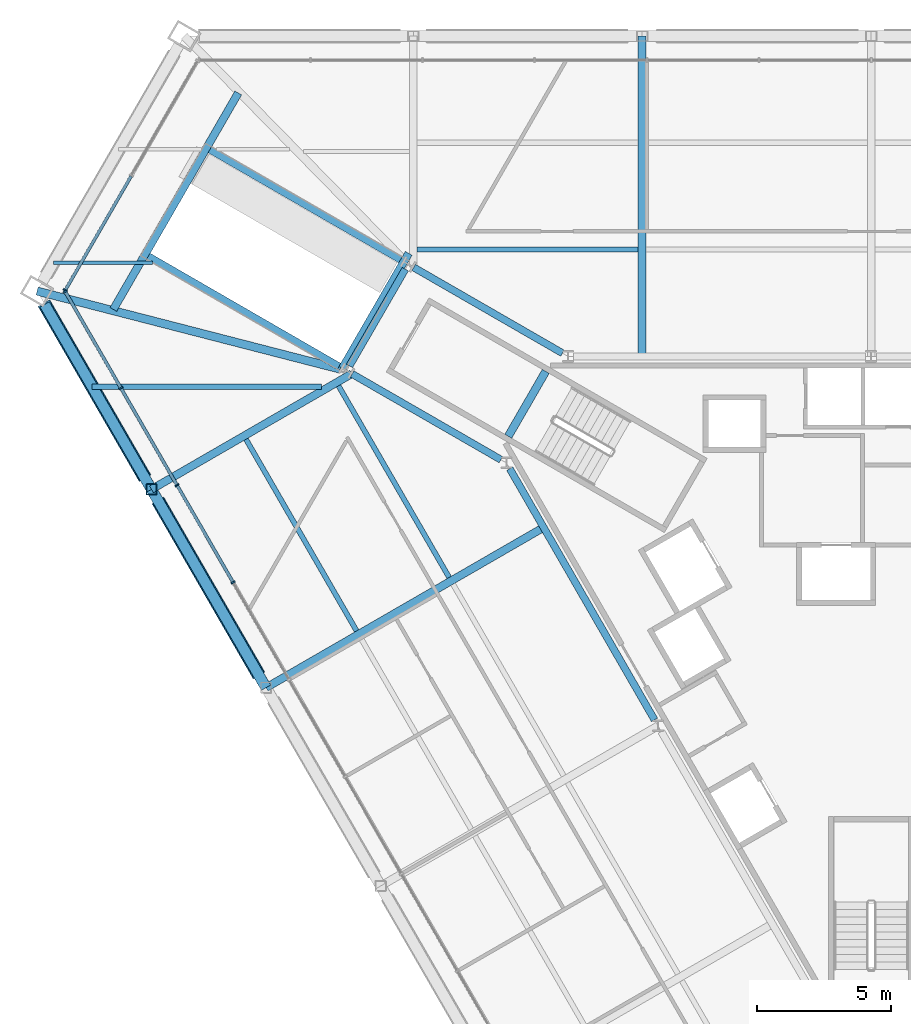
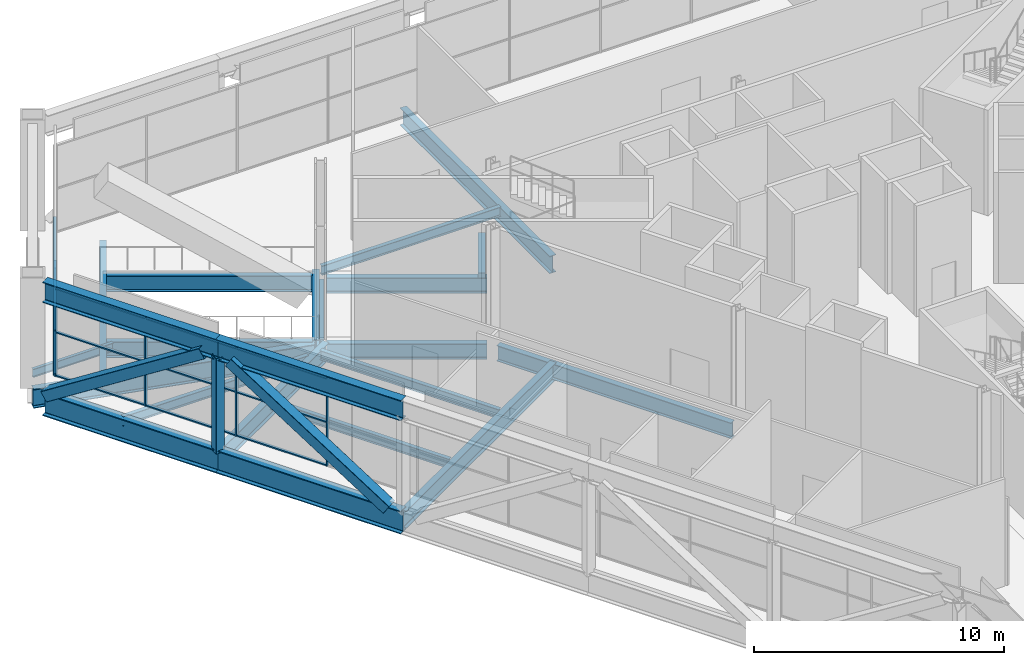
# One storey, part 6 of 20: 24 members, 18 beams, 2 elements without a shape of their own.
"""IFC4 building model written with IfcOpenShell, lengths in metres."""

from ifc_helpers import new_model, si_unit, direction, frame, origin, origin_2d, place, context, subcontext, project, spatial, rectangle, hollow_rectangle, i_section, extrude, material, layer, layer_set, material_profile, profile_set, type_object, element, aggregate, save


model = new_model("IFC4")

# Units and contexts
model_context = context("Model", 3, precision=1e-05, world=origin(), true_north=direction((0.0, 1.0)))
body_context = subcontext(model_context, "Body", "Model", "MODEL_VIEW")
ifc_project = project(units=[si_unit("LENGTHUNIT", "METRE"), si_unit("AREAUNIT", "SQUARE_METRE"), si_unit("VOLUMEUNIT", "CUBIC_METRE"), si_unit("PLANEANGLEUNIT", "RADIAN"), si_unit("MASSUNIT", "GRAM", prefix="KILO")], contexts=[model_context])

# Site, building, storey
site_placement = place(None, origin())
site = spatial("IfcSite", under=ifc_project, at=site_placement, CompositionType="ELEMENT")
building_placement = place(site_placement, origin())
building = spatial("IfcBuilding", under=site, at=building_placement, Name="Verrane Prism Tower", CompositionType="ELEMENT")
storey_placement = place(building_placement, frame((0.0, 0.0, 12.0)))
storey = spatial("IfcBuildingStorey", under=building, at=storey_placement, Name="L01", CompositionType="ELEMENT", Elevation=12.0)

# Curtain wall, member
ifc_material_1 = material(Name="Aluminium and glass curtain wall", Category="aluminium")
ifc_layer = layer(ifc_material_1, 0.199951171875)
ifc_layer_set = layer_set([ifc_layer], Name="CWB-1 retail curtain wall")
curtain_wall_type = type_object("IfcCurtainWallType", Name="CWB-1 retail curtain wall", PredefinedType="NOTDEFINED", material=ifc_layer_set)
curtain_wall_1_placement = place(storey_placement, origin())
curtain_wall_1 = element("IfcCurtainWall", 1, at=curtain_wall_1_placement, inside=storey, type_object=curtain_wall_type, Name="Retail curtain wall L01 3", PredefinedType="NOTDEFINED")
ifc_material_2 = material(Name="Aluminium", Category="aluminium")
ifc_material_profile_1 = material_profile(ifc_material_2, rectangle(XDim=0.159912109375, YDim=0.06005859375, at=origin_2d()), Name="CWB-M 60x160 mullion")
ifc_profile_set_1 = profile_set([ifc_material_profile_1], Name="Aluminium")
member_type_1 = type_object("IfcMemberType", Name="CWB-M 60x160 mullion", PredefinedType="MULLION", material=ifc_profile_set_1)
member_1_placement = place(storey_placement, frame((-30.11328125, 11.669677734375, 0.0), z_axis=(0.0, 0.0, 1.0), x_axis=(0.866025871, -0.499999190758, 0.0)))
member_1 = element("IfcMember", 2, at=member_1_placement, type_object=member_type_1, Name="CWB13 mullion 3", PredefinedType="MULLION", context=body_context, shape_type="SweptSolid", body=[
    extrude(rectangle(XDim=0.159912109375, YDim=0.06005859375, at=origin_2d()), origin(), (0.0, 0.0, 1.0), 4.2900390625),
])

# Curtain wall, members
curtain_wall_2_placement = place(storey_placement, origin())
curtain_wall_2 = element("IfcCurtainWall", 3, at=curtain_wall_2_placement, inside=storey, type_object=curtain_wall_type, Name="Retail curtain wall L01 4", PredefinedType="NOTDEFINED")
member_2_placement = place(storey_placement, frame((-30.11328125, 11.61767578125, 0.0), z_axis=(0.0, 0.0, 1.0), x_axis=(0.866025335097, 0.50000011897, 0.0)))
member_2 = element("IfcMember", 4, at=member_2_placement, type_object=member_type_1, Name="CWB14 mullion 1", PredefinedType="MULLION", context=body_context, shape_type="SweptSolid", body=[
    extrude(rectangle(XDim=0.159912109375, YDim=0.06005859375, at=origin_2d()), origin(), (0.0, 0.0, 1.0), 4.2900390625),
])
member_3_placement = place(storey_placement, frame((-28.03271484375, 8.013916015625, 0.0), z_axis=(0.0, 0.0, 1.0), x_axis=(0.866025335097, 0.50000011897, 0.0)))
member_3 = element("IfcMember", 5, at=member_3_placement, type_object=member_type_1, Name="CWB14 mullion 2", PredefinedType="MULLION", context=body_context, shape_type="SweptSolid", body=[
    extrude(rectangle(XDim=0.159912109375, YDim=0.06005859375, at=origin_2d()), origin(), (0.0, 0.0, 1.0), 4.2900390625),
])
member_4_placement = place(storey_placement, frame((-25.93701171875, 4.384033203125, 0.0), z_axis=(0.0, 0.0, 1.0), x_axis=(0.866025335097, 0.50000011897, 0.0)))
member_4 = element("IfcMember", 6, at=member_4_placement, type_object=member_type_1, Name="CWB14 mullion 3", PredefinedType="MULLION", context=body_context, shape_type="SweptSolid", body=[
    extrude(rectangle(XDim=0.159912109375, YDim=0.06005859375, at=origin_2d()), origin(), (0.0, 0.0, 1.0), 4.2900390625),
])
member_5_placement = place(storey_placement, frame((-23.84130859375, 0.75439453125, 0.0), z_axis=(0.0, 0.0, 1.0), x_axis=(0.866025335097, 0.50000011897, 0.0)))
member_5 = element("IfcMember", 7, at=member_5_placement, type_object=member_type_1, Name="CWB14 mullion 4", PredefinedType="MULLION", context=body_context, shape_type="SweptSolid", body=[
    extrude(rectangle(XDim=0.159912109375, YDim=0.06005859375, at=origin_2d()), origin(), (0.0, 0.0, 1.0), 4.2900390625),
])

# Member
ifc_material_3 = material(Name="Aluminium", Category="aluminium")
ifc_material_profile_2 = material_profile(ifc_material_3, rectangle(XDim=0.1201171875, YDim=0.06005859375, at=origin_2d()), Name="CWB-T 60x120 transom")
ifc_profile_set_2 = profile_set([ifc_material_profile_2], Name="Aluminium")
member_type_2 = type_object("IfcMemberType", Name="CWB-T 60x120 transom", PredefinedType="USERDEFINED", material=ifc_profile_set_2)
member_6_placement = place(storey_placement, frame((-27.653076171875, 15.930908203125, 0.030029296875), z_axis=(-0.500004774777, -0.866022647048, 0.0), x_axis=(0.866022647048, -0.500004774777, 0.0)))
member_6 = element("IfcMember", 8, at=member_6_placement, type_object=member_type_2, Name="CWB13 transom 2.1", ObjectType="TRANSOM", PredefinedType="USERDEFINED", context=body_context, shape_type="SweptSolid", body=[
    extrude(rectangle(XDim=0.1201171875, YDim=0.06005859375, at=origin_2d()), origin(), (0.0, 0.0, 1.0), 4.890625),
])

member_7_placement = place(storey_placement, frame((-27.653076171875, 15.930908203125, 2.14501953125), z_axis=(-0.500004774777, -0.866022647048, 0.0), x_axis=(0.866022647048, -0.500004774777, 0.0)))
member_7 = element("IfcMember", 9, at=member_7_placement, type_object=member_type_2, Name="CWB13 transom 2.2", ObjectType="TRANSOM", PredefinedType="USERDEFINED", context=body_context, shape_type="SweptSolid", body=[
    extrude(rectangle(XDim=0.1201171875, YDim=0.06005859375, at=origin_2d()), origin(), (0.0, 0.0, 1.0), 4.890625),
])

member_8_placement = place(storey_placement, frame((-27.653076171875, 15.930908203125, 4.260009765625), z_axis=(-0.500004774777, -0.866022647048, 0.0), x_axis=(0.866022647048, -0.500004774777, 0.0)))
member_8 = element("IfcMember", 10, at=member_8_placement, type_object=member_type_2, Name="CWB13 transom 2.3", ObjectType="TRANSOM", PredefinedType="USERDEFINED", context=body_context, shape_type="SweptSolid", body=[
    extrude(rectangle(XDim=0.1201171875, YDim=0.06005859375, at=origin_2d()), origin(), (0.0, 0.0, 1.0), 4.890625),
])

aggregate(curtain_wall_1, [member_1, member_6, member_7, member_8])

member_9_placement = place(storey_placement, frame((-30.098388671875, 11.591796875, 0.030029296875), z_axis=(0.500005845305, -0.86602202897, 0.0), x_axis=(0.86602202897, 0.500005845305, 0.0)))
member_9 = element("IfcMember", 11, at=member_9_placement, type_object=member_type_2, Name="CWB14 transom 1.1", ObjectType="TRANSOM", PredefinedType="USERDEFINED", context=body_context, shape_type="SweptSolid", body=[
    extrude(rectangle(XDim=0.1201171875, YDim=0.06005859375, at=origin_2d()), origin(), (0.0, 0.0, 1.0), 4.1015625),
])

member_10_placement = place(storey_placement, frame((-30.098388671875, 11.591796875, 2.14501953125), z_axis=(0.500005845305, -0.86602202897, 0.0), x_axis=(0.86602202897, 0.500005845305, 0.0)))
member_10 = element("IfcMember", 12, at=member_10_placement, type_object=member_type_2, Name="CWB14 transom 1.2", ObjectType="TRANSOM", PredefinedType="USERDEFINED", context=body_context, shape_type="SweptSolid", body=[
    extrude(rectangle(XDim=0.1201171875, YDim=0.06005859375, at=origin_2d()), origin(), (0.0, 0.0, 1.0), 4.1015625),
])

member_11_placement = place(storey_placement, frame((-30.098388671875, 11.591796875, 4.260009765625), z_axis=(0.500005845305, -0.86602202897, 0.0), x_axis=(0.86602202897, 0.500005845305, 0.0)))
member_11 = element("IfcMember", 13, at=member_11_placement, type_object=member_type_2, Name="CWB14 transom 1.3", ObjectType="TRANSOM", PredefinedType="USERDEFINED", context=body_context, shape_type="SweptSolid", body=[
    extrude(rectangle(XDim=0.1201171875, YDim=0.06005859375, at=origin_2d()), origin(), (0.0, 0.0, 1.0), 4.1015625),
])

member_12_placement = place(storey_placement, frame((-28.017578125, 7.988037109375, 0.030029296875), z_axis=(0.499996977546, -0.866027148792, 0.0), x_axis=(0.866027148792, 0.499996977546, 0.0)))
member_12 = element("IfcMember", 14, at=member_12_placement, type_object=member_type_2, Name="CWB14 transom 2.1", ObjectType="TRANSOM", PredefinedType="USERDEFINED", context=body_context, shape_type="SweptSolid", body=[
    extrude(rectangle(XDim=0.1201171875, YDim=0.06005859375, at=origin_2d()), origin(), (0.0, 0.0, 1.0), 4.13134765625),
])

member_13_placement = place(storey_placement, frame((-28.017578125, 7.988037109375, 2.14501953125), z_axis=(0.499996977546, -0.866027148792, 0.0), x_axis=(0.866027148792, 0.499996977546, 0.0)))
member_13 = element("IfcMember", 15, at=member_13_placement, type_object=member_type_2, Name="CWB14 transom 2.2", ObjectType="TRANSOM", PredefinedType="USERDEFINED", context=body_context, shape_type="SweptSolid", body=[
    extrude(rectangle(XDim=0.1201171875, YDim=0.06005859375, at=origin_2d()), origin(), (0.0, 0.0, 1.0), 4.13134765625),
])

member_14_placement = place(storey_placement, frame((-28.017578125, 7.988037109375, 4.260009765625), z_axis=(0.499996977546, -0.866027148792, 0.0), x_axis=(0.866027148792, 0.499996977546, 0.0)))
member_14 = element("IfcMember", 16, at=member_14_placement, type_object=member_type_2, Name="CWB14 transom 2.3", ObjectType="TRANSOM", PredefinedType="USERDEFINED", context=body_context, shape_type="SweptSolid", body=[
    extrude(rectangle(XDim=0.1201171875, YDim=0.06005859375, at=origin_2d()), origin(), (0.0, 0.0, 1.0), 4.13134765625),
])

member_15_placement = place(storey_placement, frame((-25.921875, 4.358154296875, 0.030029296875), z_axis=(0.499996977546, -0.866027148792, 0.0), x_axis=(0.866027148792, 0.499996977546, 0.0)))
member_15 = element("IfcMember", 17, at=member_15_placement, type_object=member_type_2, Name="CWB14 transom 3.1", ObjectType="TRANSOM", PredefinedType="USERDEFINED", context=body_context, shape_type="SweptSolid", body=[
    extrude(rectangle(XDim=0.1201171875, YDim=0.06005859375, at=origin_2d()), origin(), (0.0, 0.0, 1.0), 4.13134765625),
])

member_16_placement = place(storey_placement, frame((-25.921875, 4.358154296875, 2.14501953125), z_axis=(0.499996977546, -0.866027148792, 0.0), x_axis=(0.866027148792, 0.499996977546, 0.0)))
member_16 = element("IfcMember", 18, at=member_16_placement, type_object=member_type_2, Name="CWB14 transom 3.2", ObjectType="TRANSOM", PredefinedType="USERDEFINED", context=body_context, shape_type="SweptSolid", body=[
    extrude(rectangle(XDim=0.1201171875, YDim=0.06005859375, at=origin_2d()), origin(), (0.0, 0.0, 1.0), 4.13134765625),
])

member_17_placement = place(storey_placement, frame((-25.921875, 4.358154296875, 4.260009765625), z_axis=(0.499996977546, -0.866027148792, 0.0), x_axis=(0.866027148792, 0.499996977546, 0.0)))
member_17 = element("IfcMember", 19, at=member_17_placement, type_object=member_type_2, Name="CWB14 transom 3.3", ObjectType="TRANSOM", PredefinedType="USERDEFINED", context=body_context, shape_type="SweptSolid", body=[
    extrude(rectangle(XDim=0.1201171875, YDim=0.06005859375, at=origin_2d()), origin(), (0.0, 0.0, 1.0), 4.13134765625),
])

aggregate(curtain_wall_2, [member_2, member_3, member_4, member_5, member_9, member_10, member_11, member_12, member_13, member_14, member_15, member_16, member_17])

# Beams
ifc_material_4 = material(Name="Steel A992", Category="steel")
ifc_material_profile_3 = material_profile(ifc_material_4, i_section(OverallWidth=0.2666015625, OverallDepth=0.76708984375, WebThickness=0.014892578125, FlangeThickness=0.023681640625, FilletRadius=0.0166015625, at=origin_2d()), Name="W30x124")
ifc_profile_set_3 = profile_set([ifc_material_profile_3], Name="Steel A992")
beam_type_1 = type_object("IfcBeamType", Name="Core ring girder W30x124", PredefinedType="BEAM", material=ifc_profile_set_3)
beam_1_placement = place(storey_placement, frame((-11.53564453125, 9.318603515625, -0.633544921875), z_axis=(-0.866455356291, 0.499254559873, 0.0), x_axis=(-0.499254559873, -0.866455356291, 0.0)))
element("IfcBeam", 20, at=beam_1_placement, inside=storey, type_object=beam_type_1, Name="Core ring girder L01", PredefinedType="BEAM", context=body_context, shape_type="SweptSolid", body=[
    extrude(i_section(OverallWidth=0.2666015625, OverallDepth=0.76708984375, WebThickness=0.014892578125, FlangeThickness=0.023681640625, FilletRadius=0.0166015625, at=origin_2d()), origin(), (0.0, 0.0, 1.0), 6.415283203125),
])
beam_2_placement = place(storey_placement, frame((-17.406005859375, 12.456298828125, -0.633544921875), z_axis=(-0.500367275473, -0.865813253326, 0.0), x_axis=(0.865813253326, -0.500367275473, 0.0)))
element("IfcBeam", 21, at=beam_2_placement, inside=storey, type_object=beam_type_1, Name="Core ring girder L01", PredefinedType="BEAM", context=body_context, shape_type="SweptSolid", body=[
    extrude(i_section(OverallWidth=0.2666015625, OverallDepth=0.76708984375, WebThickness=0.014892578125, FlangeThickness=0.023681640625, FilletRadius=0.0166015625, at=origin_2d()), origin(), (0.0, 0.0, 1.0), 4.172607421875),
])
beam_3_placement = place(storey_placement, frame((-19.394287109375, 8.54150390625, -0.633544921875), z_axis=(0.866455356291, -0.499254559873, 0.0), x_axis=(0.499254559873, 0.866455356291, 0.0)))
element("IfcBeam", 22, at=beam_3_placement, inside=storey, type_object=beam_type_1, Name="Core ring girder L01", PredefinedType="BEAM", context=body_context, shape_type="SweptSolid", body=[
    extrude(i_section(OverallWidth=0.2666015625, OverallDepth=0.76708984375, WebThickness=0.014892578125, FlangeThickness=0.023681640625, FilletRadius=0.0166015625, at=origin_2d()), origin(), (0.0, 0.0, 1.0), 6.415283203125),
])
beam_4_placement = place(storey_placement, frame((-13.5048828125, 5.002685546875, -0.633544921875), z_axis=(0.499373178085, -0.866386997253, 0.0), x_axis=(0.866386997253, 0.499373178085, 0.0)))
element("IfcBeam", 23, at=beam_4_placement, inside=storey, type_object=beam_type_1, Name="Core ring girder L01", PredefinedType="BEAM", context=body_context, shape_type="SweptSolid", body=[
    extrude(i_section(OverallWidth=0.2666015625, OverallDepth=0.76708984375, WebThickness=0.014892578125, FlangeThickness=0.023681640625, FilletRadius=0.0166015625, at=origin_2d()), origin(), (0.0, 0.0, 1.0), 10.8330078125),
])
ifc_material_5 = material(Name="Steel A992", Category="steel")
ifc_material_profile_4 = material_profile(ifc_material_5, i_section(OverallWidth=0.307373046875, OverallDepth=0.927001953125, WebThickness=0.01953125, FlangeThickness=0.031982421875, FilletRadius=0.01904296875, at=origin_2d()), Name="W36x194")
ifc_profile_set_4 = profile_set([ifc_material_profile_4], Name="Steel A992")
beam_type_2 = type_object("IfcBeamType", Name="Corner girder W36x194", PredefinedType="BEAM", material=ifc_profile_set_4)
beam_5_placement = place(storey_placement, frame((-31.16455078125, 11.638671875, -0.68359375), z_axis=(0.968392733058, -0.249430380188, 0.0), x_axis=(0.249430380188, 0.968392733058, 0.0)))
element("IfcBeam", 24, at=beam_5_placement, inside=storey, type_object=beam_type_2, Name="Corner girder L01", PredefinedType="BEAM", context=body_context, shape_type="SweptSolid", body=[
    extrude(i_section(OverallWidth=0.307373046875, OverallDepth=0.927001953125, WebThickness=0.01953125, FlangeThickness=0.031982421875, FilletRadius=0.01904296875, at=origin_2d()), origin(), (0.0, 0.0, 1.0), 11.695556640625),
])
ifc_material_6 = material(Name="Steel A992", Category="steel")
ifc_material_profile_5 = material_profile(ifc_material_6, i_section(OverallWidth=0.140380859375, OverallDepth=0.40380859375, WebThickness=0.007080078125, FlangeThickness=0.01123046875, FilletRadius=0.01025390625, at=origin_2d()), Name="W16x31")
ifc_profile_set_5 = profile_set([ifc_material_profile_5], Name="Steel A992")
beam_type_3 = type_object("IfcBeamType", Name="Floor beam W16x31", PredefinedType="BEAM", material=ifc_profile_set_5)
beam_6_placement = place(storey_placement, frame((-30.55810546875, 12.699951171875, -0.36181640625), z_axis=(1.0, 0.0, 0.0), x_axis=(0.0, 1.0, 0.0)))
element("IfcBeam", 25, at=beam_6_placement, inside=storey, type_object=beam_type_3, Name="Floor beam L01", PredefinedType="BEAM", context=body_context, shape_type="SweptSolid", body=[
    extrude(i_section(OverallWidth=0.140380859375, OverallDepth=0.40380859375, WebThickness=0.007080078125, FlangeThickness=0.01123046875, FilletRadius=0.01025390625, at=origin_2d()), origin(), (0.0, 0.0, 1.0), 3.697509765625),
])
ifc_material_7 = material(Name="Steel A992", Category="steel")
ifc_material_profile_6 = material_profile(ifc_material_7, i_section(OverallWidth=0.1904296875, OverallDepth=0.457275390625, WebThickness=0.009033203125, FlangeThickness=0.014404296875, FilletRadius=0.01025390625, at=origin_2d()), Name="W18x50")
ifc_profile_set_6 = profile_set([ifc_material_profile_6], Name="Steel A992")
beam_type_4 = type_object("IfcBeamType", Name="Floor beam W18x50", PredefinedType="BEAM", material=ifc_profile_set_6)
beam_7_placement = place(storey_placement, frame((-16.964111328125, 13.18994140625, -0.388671875), z_axis=(1.0, 0.0, 0.0), x_axis=(0.0, 1.0, 0.0)))
element("IfcBeam", 26, at=beam_7_placement, inside=storey, type_object=beam_type_4, Name="Floor beam L01", PredefinedType="BEAM", context=body_context, shape_type="SweptSolid", body=[
    extrude(i_section(OverallWidth=0.1904296875, OverallDepth=0.457275390625, WebThickness=0.009033203125, FlangeThickness=0.014404296875, FilletRadius=0.01025390625, at=origin_2d()), origin(), (0.0, 0.0, 1.0), 8.258056640625),
])
beam_8_placement = place(storey_placement, frame((-29.10498046875, 8.06494140625, -0.388671875), z_axis=(1.0, 0.0, 0.0), x_axis=(0.0, 1.0, 0.0)))
element("IfcBeam", 27, at=beam_8_placement, inside=storey, type_object=beam_type_4, Name="Floor beam L01", PredefinedType="BEAM", context=body_context, shape_type="SweptSolid", body=[
    extrude(i_section(OverallWidth=0.1904296875, OverallDepth=0.457275390625, WebThickness=0.009033203125, FlangeThickness=0.014404296875, FilletRadius=0.01025390625, at=origin_2d()), origin(), (0.0, 0.0, 1.0), 8.563232421875),
])
beam_9_placement = place(storey_placement, frame((-15.769287109375, 0.93994140625, -0.388671875), z_axis=(-0.500018214608, 0.86601488732, 0.0), x_axis=(-0.86601488732, -0.500018214608, 0.0)))
element("IfcBeam", 28, at=beam_9_placement, inside=storey, type_object=beam_type_4, Name="Floor beam L01", PredefinedType="BEAM", context=body_context, shape_type="SweptSolid", body=[
    extrude(i_section(OverallWidth=0.1904296875, OverallDepth=0.457275390625, WebThickness=0.009033203125, FlangeThickness=0.014404296875, FilletRadius=0.01025390625, at=origin_2d()), origin(), (0.0, 0.0, 1.0), 8.264892578125),
])
beam_10_placement = place(storey_placement, frame((-19.226806640625, -1.05712890625, -0.388671875), z_axis=(-0.500005423512, 0.866022272496, 0.0), x_axis=(-0.866022272496, -0.500005423512, 0.0)))
element("IfcBeam", 29, at=beam_10_placement, inside=storey, type_object=beam_type_4, Name="Floor beam L01", PredefinedType="BEAM", context=body_context, shape_type="SweptSolid", body=[
    extrude(i_section(OverallWidth=0.1904296875, OverallDepth=0.457275390625, WebThickness=0.009033203125, FlangeThickness=0.014404296875, FilletRadius=0.01025390625, at=origin_2d()), origin(), (0.0, 0.0, 1.0), 8.26513671875),
])
ifc_material_8 = material(Name="Steel A992", Category="steel")
ifc_material_profile_7 = material_profile(ifc_material_8, i_section(OverallWidth=0.2919921875, OverallDepth=0.845703125, WebThickness=0.015380859375, FlangeThickness=0.0244140625, FilletRadius=0.017822265625, at=origin_2d()), Name="W33x141")
ifc_profile_set_7 = profile_set([ifc_material_profile_7], Name="Steel A992")
beam_type_5 = type_object("IfcBeamType", Name="Radial girder W33x141", PredefinedType="BEAM", material=ifc_profile_set_7)
beam_11_placement = place(storey_placement, frame((-8.56005859375, 21.169921875, -0.642822265625), z_axis=(0.0, -1.0, 0.0), x_axis=(1.0, 0.0, 0.0)))
element("IfcBeam", 30, at=beam_11_placement, inside=storey, type_object=beam_type_5, Name="Radial girder L01", PredefinedType="BEAM", context=body_context, shape_type="SweptSolid", body=[
    extrude(i_section(OverallWidth=0.2919921875, OverallDepth=0.845703125, WebThickness=0.015380859375, FlangeThickness=0.0244140625, FilletRadius=0.017822265625, at=origin_2d()), origin(), (0.0, 0.0, 1.0), 11.969970703125),
])
beam_12_placement = place(storey_placement, frame((-26.889892578125, 4.22998046875, -0.642822265625), z_axis=(0.866024167848, 0.500002140699, 0.0), x_axis=(-0.500002140699, 0.866024167848, 0.0)))
element("IfcBeam", 31, at=beam_12_placement, inside=storey, type_object=beam_type_5, Name="Radial girder L01", PredefinedType="BEAM", context=body_context, shape_type="SweptSolid", body=[
    extrude(i_section(OverallWidth=0.2919921875, OverallDepth=0.845703125, WebThickness=0.015380859375, FlangeThickness=0.0244140625, FilletRadius=0.017822265625, at=origin_2d()), origin(), (0.0, 0.0, 1.0), 8.63916015625),
])
beam_13_placement = place(storey_placement, frame((-22.610107421875, -3.179931640625, -0.642822265625), z_axis=(0.866031448669, 0.499989529807, 0.0), x_axis=(-0.499989529807, 0.866031448669, 0.0)))
element("IfcBeam", 32, at=beam_13_placement, inside=storey, type_object=beam_type_5, Name="Radial girder L01", PredefinedType="BEAM", context=body_context, shape_type="SweptSolid", body=[
    extrude(i_section(OverallWidth=0.2919921875, OverallDepth=0.845703125, WebThickness=0.015380859375, FlangeThickness=0.0244140625, FilletRadius=0.017822265625, at=origin_2d()), origin(), (0.0, 0.0, 1.0), 11.974853515625),
])
ifc_material_9 = material(Name="Steel A992", Category="steel")
ifc_material_profile_8 = material_profile(ifc_material_9, i_section(OverallWidth=0.2666015625, OverallDepth=0.76708984375, WebThickness=0.014892578125, FlangeThickness=0.023681640625, FilletRadius=0.0166015625, at=origin_2d()), Name="W30x124")
ifc_profile_set_8 = profile_set([ifc_material_profile_8], Name="Steel A992")
beam_type_6 = type_object("IfcBeamType", Name="Slab edge girder W30x124", PredefinedType="BEAM", material=ifc_profile_set_8)
beam_14_placement = place(storey_placement, frame((-17.58203125, 12.806884765625, -0.54345703125), z_axis=(-0.866034923029, 0.499983511822, 0.0), x_axis=(-0.499983511822, -0.866034923029, 0.0)))
element("IfcBeam", 33, at=beam_14_placement, inside=storey, type_object=beam_type_6, Name="Slab edge girder L01", PredefinedType="BEAM", context=body_context, shape_type="SweptSolid", body=[
    extrude(i_section(OverallWidth=0.2666015625, OverallDepth=0.76708984375, WebThickness=0.014892578125, FlangeThickness=0.023681640625, FilletRadius=0.0166015625, at=origin_2d()), origin(), (0.0, 0.0, 1.0), 8.230224609375),
])
beam_15_placement = place(storey_placement, frame((-27.009521484375, 12.93798828125, -0.54345703125), z_axis=(0.86602750728, -0.499996356621, 0.0), x_axis=(0.499996356621, 0.86602750728, 0.0)))
element("IfcBeam", 34, at=beam_15_placement, inside=storey, type_object=beam_type_6, Name="Slab edge girder L01", PredefinedType="BEAM", context=body_context, shape_type="SweptSolid", body=[
    extrude(i_section(OverallWidth=0.2666015625, OverallDepth=0.76708984375, WebThickness=0.014892578125, FlangeThickness=0.023681640625, FilletRadius=0.0166015625, at=origin_2d()), origin(), (0.0, 0.0, 1.0), 8.22998046875),
])
ifc_material_10 = material(Name="Steel A992", Category="steel")
ifc_material_profile_9 = material_profile(ifc_material_10, i_section(OverallWidth=0.2919921875, OverallDepth=0.845703125, WebThickness=0.015380859375, FlangeThickness=0.0244140625, FilletRadius=0.017822265625, at=origin_2d()), Name="W33x141")
ifc_profile_set_9 = profile_set([ifc_material_profile_9], Name="Steel A992")
beam_type_7 = type_object("IfcBeamType", Name="Slab edge girder W33x141", PredefinedType="BEAM", material=ifc_profile_set_9)
beam_16_placement = place(storey_placement, frame((-23.64794921875, 19.04052734375, -0.5830078125), z_axis=(-0.500003119808, -0.866023602555, 0.0), x_axis=(0.866023602555, -0.500003119808, 0.0)))
element("IfcBeam", 35, at=beam_16_placement, inside=storey, type_object=beam_type_7, Name="Slab edge girder L01", PredefinedType="BEAM", context=body_context, shape_type="SweptSolid", body=[
    extrude(i_section(OverallWidth=0.2919921875, OverallDepth=0.845703125, WebThickness=0.015380859375, FlangeThickness=0.0244140625, FilletRadius=0.017822265625, at=origin_2d()), origin(), (0.0, 0.0, 1.0), 9.3369140625),
])
beam_17_placement = place(storey_placement, frame((-19.761962890625, 8.75146484375, -0.5830078125), z_axis=(0.500002137087, 0.866024169933, 0.0), x_axis=(-0.866024169933, 0.500002137087, 0.0)))
element("IfcBeam", 36, at=beam_17_placement, inside=storey, type_object=beam_type_7, Name="Slab edge girder L01", PredefinedType="BEAM", context=body_context, shape_type="SweptSolid", body=[
    extrude(i_section(OverallWidth=0.2919921875, OverallDepth=0.845703125, WebThickness=0.015380859375, FlangeThickness=0.0244140625, FilletRadius=0.017822265625, at=origin_2d()), origin(), (0.0, 0.0, 1.0), 4.9619140625),
])
ifc_material_11 = material(Name="Concrete C40/50", Category="concrete")
ifc_material_profile_10 = material_profile(ifc_material_11, rectangle(XDim=0.300048828125, YDim=0.25, at=origin_2d()), Name="RC 300x250")
ifc_profile_set_10 = profile_set([ifc_material_profile_10], Name="Concrete C40/50")
beam_type_8 = type_object("IfcBeamType", Name="Stair landing trimmer beam 300x250 concrete C40/50", PredefinedType="BEAM", material=ifc_profile_set_10)
beam_18_placement = place(storey_placement, frame((-13.560546875, 6.212646484375, 2.375), z_axis=(0.500049511043, 0.865996816683, 0.0), x_axis=(-0.865996816683, 0.500049511043, 0.0)))
element("IfcBeam", 37, at=beam_18_placement, inside=storey, type_object=beam_type_8, Name="Stair 2 landing trimmer beam", PredefinedType="BEAM", context=body_context, shape_type="SweptSolid", body=[
    extrude(rectangle(XDim=0.300048828125, YDim=0.25, at=origin_2d()), origin(), (0.0, 0.0, 1.0), 2.800048828125),
])

# Members
ifc_material_12 = material(Name="Steel A992", Category="steel")
ifc_material_profile_11 = material_profile(ifc_material_12, i_section(OverallWidth=0.4013671875, OverallDepth=1.000732421875, WebThickness=0.01904296875, FlangeThickness=0.0361328125, FilletRadius=0.030029296875, at=origin_2d()), Name="W40x249")
ifc_profile_set_11 = profile_set([ifc_material_profile_11], Name="Steel A992")
member_type_3 = type_object("IfcMemberType", Name="Transfer truss chord W40x249", PredefinedType="CHORD", material=ifc_profile_set_11)
member_18_placement = place(storey_placement, frame((-30.88134765625, 11.14013671875, 4.739501953125), z_axis=(0.500176162953, -0.865923672164, 0.0), x_axis=(0.865923672164, 0.500176162953, 0.0)))
element("IfcMember", 38, at=member_18_placement, inside=storey, type_object=member_type_3, Name="Truss chord L01", PredefinedType="CHORD", context=body_context, shape_type="SweptSolid", body=[
    extrude(i_section(OverallWidth=0.4013671875, OverallDepth=1.000732421875, WebThickness=0.01904296875, FlangeThickness=0.0361328125, FilletRadius=0.030029296875, at=origin_2d()), origin(), (0.0, 0.0, 1.0), 7.97998046875),
])
member_19_placement = place(storey_placement, frame((-26.889892578125, 4.22998046875, 4.739501953125), z_axis=(0.500146398655, -0.865940863981, 0.0), x_axis=(0.865940863981, 0.500146398655, 0.0)))
element("IfcMember", 39, at=member_19_placement, inside=storey, type_object=member_type_3, Name="Truss chord L01", PredefinedType="CHORD", context=body_context, shape_type="SweptSolid", body=[
    extrude(i_section(OverallWidth=0.4013671875, OverallDepth=1.000732421875, WebThickness=0.01904296875, FlangeThickness=0.0361328125, FilletRadius=0.030029296875, at=origin_2d()), origin(), (0.0, 0.0, 1.0), 8.55712890625),
])
ifc_material_13 = material(Name="Steel A992", Category="steel")
ifc_material_profile_12 = material_profile(ifc_material_13, i_section(OverallWidth=0.40380859375, OverallDepth=1.11767578125, WebThickness=0.026123046875, FlangeThickness=0.044921875, FilletRadius=0.02001953125, at=origin_2d()), Name="W44x335")
ifc_profile_set_12 = profile_set([ifc_material_profile_12], Name="Steel A992")
member_type_4 = type_object("IfcMemberType", Name="Transfer truss chord W44x335", PredefinedType="CHORD", material=ifc_profile_set_12)
member_20_placement = place(storey_placement, frame((-30.88134765625, 11.14013671875, -0.72119140625), z_axis=(0.500176162953, -0.865923672164, 0.0), x_axis=(0.865923672164, 0.500176162953, 0.0)))
element("IfcMember", 40, at=member_20_placement, inside=storey, type_object=member_type_4, Name="Truss chord L01", PredefinedType="CHORD", context=body_context, shape_type="SweptSolid", body=[
    extrude(i_section(OverallWidth=0.40380859375, OverallDepth=1.11767578125, WebThickness=0.026123046875, FlangeThickness=0.044921875, FilletRadius=0.02001953125, at=origin_2d()), origin(), (0.0, 0.0, 1.0), 7.97998046875),
])
member_21_placement = place(storey_placement, frame((-26.889892578125, 4.22998046875, -0.72119140625), z_axis=(0.500146398655, -0.865940863981, 0.0), x_axis=(0.865940863981, 0.500146398655, 0.0)))
element("IfcMember", 41, at=member_21_placement, inside=storey, type_object=member_type_4, Name="Truss chord L01", PredefinedType="CHORD", context=body_context, shape_type="SweptSolid", body=[
    extrude(i_section(OverallWidth=0.40380859375, OverallDepth=1.11767578125, WebThickness=0.026123046875, FlangeThickness=0.044921875, FilletRadius=0.02001953125, at=origin_2d()), origin(), (0.0, 0.0, 1.0), 8.55712890625),
])
ifc_material_14 = material(Name="Steel A500 Grade C", Category="steel")
ifc_material_profile_13 = material_profile(ifc_material_14, hollow_rectangle(XDim=0.508056640625, YDim=0.508056640625, WallThickness=0.01904296875, InnerFilletRadius=0.009521484375, OuterFilletRadius=0.028564453125, at=origin_2d()), Name="HSS20x20x3/4")
ifc_profile_set_13 = profile_set([ifc_material_profile_13], Name="Steel A500 Grade C")
member_type_5 = type_object("IfcMemberType", Name="Transfer truss diagonal HSS20x20x3/4", PredefinedType="BRACE", material=ifc_profile_set_13)
member_22_placement = place(storey_placement, frame((-30.840576171875, 11.069580078125, -0.30078125), z_axis=(0.421636436752, -0.729955256659, 0.537947988637), x_axis=(0.865924412522, 0.500174881215, 0.0)))
element("IfcMember", 42, at=member_22_placement, inside=storey, type_object=member_type_5, Name="Truss diagonal L01", PredefinedType="BRACE", context=body_context, shape_type="SweptSolid", body=[
    extrude(hollow_rectangle(XDim=0.508056640625, YDim=0.508056640625, WallThickness=0.01904296875, InnerFilletRadius=0.009521484375, OuterFilletRadius=0.028564453125, at=origin_2d()), origin(), (0.0, 0.0, 1.0), 8.643798828125),
])
member_23_placement = place(storey_placement, frame((-22.939453125, -2.609619140625, -0.30078125), z_axis=(-0.421627743828, 0.729968451182, 0.537936897706), x_axis=(-0.865932794473, -0.500160369738, 0.0)))
element("IfcMember", 43, at=member_23_placement, inside=storey, type_object=member_type_5, Name="Truss diagonal L01", PredefinedType="BRACE", context=body_context, shape_type="SweptSolid", body=[
    extrude(hollow_rectangle(XDim=0.508056640625, YDim=0.508056640625, WallThickness=0.01904296875, InnerFilletRadius=0.009521484375, OuterFilletRadius=0.028564453125, at=origin_2d()), origin(), (0.0, 0.0, 1.0), 8.64404296875),
])
ifc_material_15 = material(Name="Steel A500 Grade C", Category="steel")
ifc_material_profile_14 = material_profile(ifc_material_15, hollow_rectangle(XDim=0.406494140625, YDim=0.406494140625, WallThickness=0.01904296875, InnerFilletRadius=0.009521484375, OuterFilletRadius=0.028564453125, at=origin_2d()), Name="HSS16x16x3/4")
ifc_profile_set_14 = profile_set([ifc_material_profile_14], Name="Steel A500 Grade C")
member_type_6 = type_object("IfcMemberType", Name="Transfer truss post HSS16x16x3/4", PredefinedType="POST", material=ifc_profile_set_14)
member_24_placement = place(storey_placement, frame((-26.889892578125, 4.22998046875, -0.30078125), z_axis=(0.0, 0.0, 1.0), x_axis=(1.0, 0.0, 0.0)))
element("IfcMember", 44, at=member_24_placement, inside=storey, type_object=member_type_6, Name="Truss post L01", PredefinedType="POST", context=body_context, shape_type="SweptSolid", body=[
    extrude(hollow_rectangle(XDim=0.406494140625, YDim=0.406494140625, WallThickness=0.01904296875, InnerFilletRadius=0.009521484375, OuterFilletRadius=0.028564453125, at=origin_2d()), origin(), (0.0, 0.0, 1.0), 4.64990234375),
])

save(model, "model.ifc")
